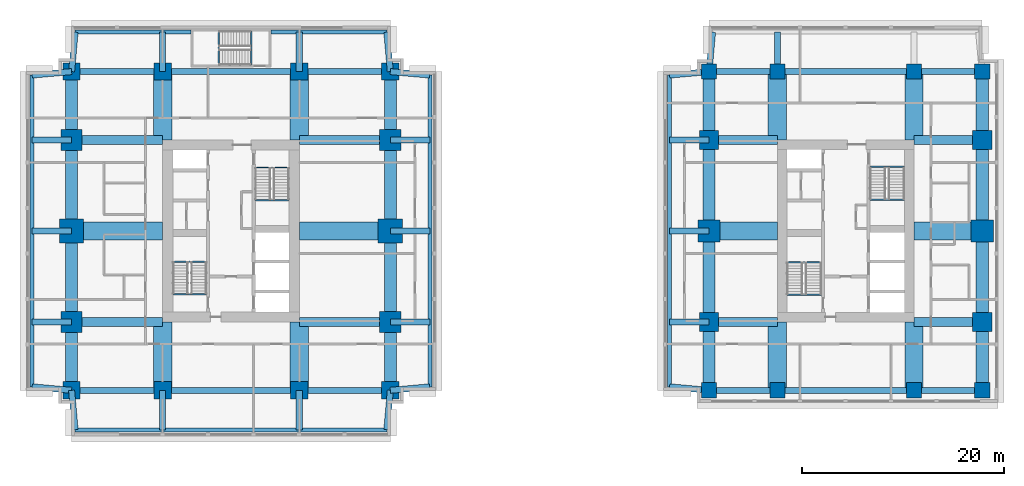
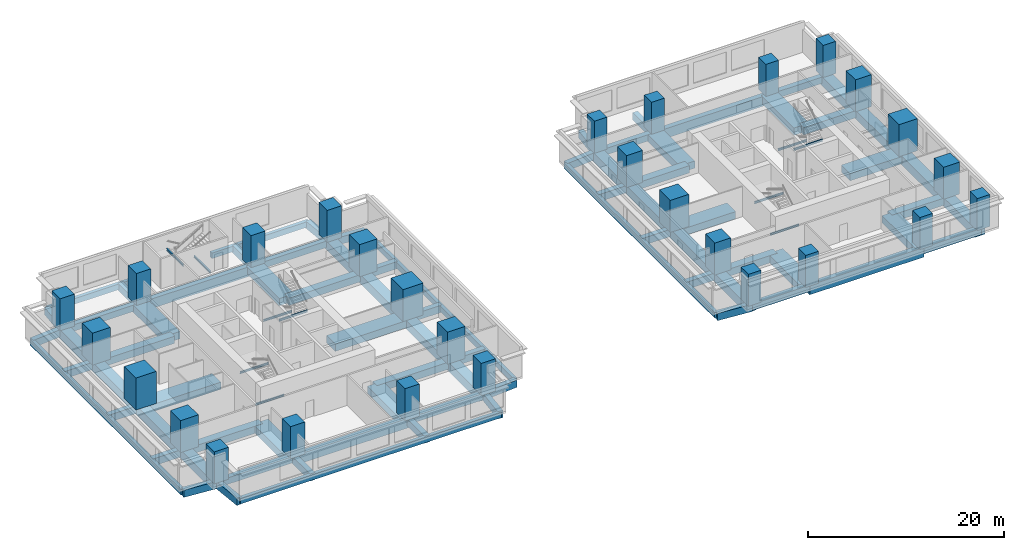
# One storey, part 1 of 10: 89 beams, 28 columns.
"""IFC4 building model written with IfcOpenShell, lengths in metres."""

from ifc_helpers import new_model, si_unit, direction, frame, origin, origin_2d, place, context, subcontext, project, spatial, rectangle, i_section, extrude, material, material_profile, profile_set, type_object, element, save


model = new_model("IFC4")

# Units and contexts
model_context = context("Model", 3, precision=1e-05, world=origin(), true_north=direction((0.0, 1.0)))
body_context = subcontext(model_context, "Body", "Model", "MODEL_VIEW")
ifc_project = project(units=[si_unit("LENGTHUNIT", "METRE"), si_unit("AREAUNIT", "SQUARE_METRE"), si_unit("VOLUMEUNIT", "CUBIC_METRE"), si_unit("PLANEANGLEUNIT", "RADIAN"), si_unit("MASSUNIT", "GRAM", prefix="KILO")], contexts=[model_context])

# Site, building, storey
site_placement = place(None, origin())
site = spatial("IfcSite", under=ifc_project, at=site_placement, CompositionType="ELEMENT")
building_placement = place(site_placement, origin())
building = spatial("IfcBuilding", under=site, at=building_placement, Name="Namib Vertical Campus", CompositionType="ELEMENT")
storey_placement = place(building_placement, frame((0.0, 0.0, 145.0)))
storey = spatial("IfcBuildingStorey", under=building, at=storey_placement, Name="L34", CompositionType="ELEMENT", Elevation=145.0)

# Columns
ifc_material_1 = material(Name="Concrete C60/75", Category="concrete")
ifc_material_profile_1 = material_profile(ifc_material_1, rectangle(XDim=1.5, YDim=1.5, at=origin_2d()))
ifc_profile_set_1 = profile_set([ifc_material_profile_1], Name="Concrete C60/75")
column_type_1 = type_object("IfcColumnType", Name="Column RC 1500x1500", PredefinedType="COLUMN", material=ifc_profile_set_1)
for number, where, z_axis, x_axis, name in (
    (1, (67.5, 4.5, 0.0), (0.0, 0.0, 1.0), (1.0, 0.0, 0.0), "Column C150 L34"),
    (2, (74.25, 4.5, 0.0), (0.0, 0.0, 1.0), (1.0, 0.0, 0.0), "Column C150 L34"),
    (3, (87.75, 4.5, 0.0), (0.0, 0.0, 1.0), (1.0, 0.0, 0.0), "Column C150 L34"),
    (4, (94.5, 4.5, 0.0), (0.0, 0.0, 1.0), (1.0, 0.0, 0.0), "Column C150 L34"),
    (5, (67.5, 36.0, 0.0), (0.0, 0.0, 1.0), (1.0, 0.0, 0.0), "Column C150 L34"),
    (6, (74.25, 36.0, 0.0), (0.0, 0.0, 1.0), (1.0, 0.0, 0.0), "Column C150 L34"),
    (7, (87.75, 36.0, 0.0), (0.0, 0.0, 1.0), (1.0, 0.0, 0.0), "Column C150 L34"),
    (8, (94.5, 36.0, 0.0), (0.0, 0.0, 1.0), (1.0, 0.0, 0.0), "Column C150 L34"),
):
    element("IfcColumn", number, at=place(storey_placement, frame(where, z_axis=z_axis, x_axis=x_axis)), inside=storey, type_object=column_type_1, Name=name, PredefinedType="COLUMN", context=body_context, shape_type="SweptSolid", body=[
        extrude(rectangle(XDim=1.5, YDim=1.5, at=origin_2d()), origin(), (0.0, 0.0, 1.0), 4.0),
    ])
ifc_material_2 = material(Name="Concrete C60/75", Category="concrete")
ifc_material_profile_2 = material_profile(ifc_material_2, rectangle(XDim=1.699951171875, YDim=1.699951171875, at=origin_2d()))
ifc_profile_set_2 = profile_set([ifc_material_profile_2], Name="Concrete C60/75")
column_type_2 = type_object("IfcColumnType", Name="Column RC 1700x1700", PredefinedType="COLUMN", material=ifc_profile_set_2)
for number, where, z_axis, x_axis, name in (
    (9, (4.5, 4.5, 0.0), (0.0, 0.0, 1.0), (1.0, 0.0, 0.0), "Column C170 L34"),
    (10, (13.5, 4.5, 0.0), (0.0, 0.0, 1.0), (1.0, 0.0, 0.0), "Column C170 L34"),
    (11, (27.0, 4.5, 0.0), (0.0, 0.0, 1.0), (1.0, 0.0, 0.0), "Column C170 L34"),
    (12, (36.0, 4.5, 0.0), (0.0, 0.0, 1.0), (1.0, 0.0, 0.0), "Column C170 L34"),
    (13, (4.5, 36.0, 0.0), (0.0, 0.0, 1.0), (1.0, 0.0, 0.0), "Column C170 L34"),
    (14, (13.5, 36.0, 0.0), (0.0, 0.0, 1.0), (1.0, 0.0, 0.0), "Column C170 L34"),
    (15, (27.0, 36.0, 0.0), (0.0, 0.0, 1.0), (1.0, 0.0, 0.0), "Column C170 L34"),
    (16, (36.0, 36.0, 0.0), (0.0, 0.0, 1.0), (1.0, 0.0, 0.0), "Column C170 L34"),
):
    element("IfcColumn", number, at=place(storey_placement, frame(where, z_axis=z_axis, x_axis=x_axis)), inside=storey, type_object=column_type_2, Name=name, PredefinedType="COLUMN", context=body_context, shape_type="SweptSolid", body=[
        extrude(rectangle(XDim=1.699951171875, YDim=1.699951171875, at=origin_2d()), origin(), (0.0, 0.0, 1.0), 4.0),
    ])
ifc_material_3 = material(Name="Concrete C60/75", Category="concrete")
ifc_material_profile_3 = material_profile(ifc_material_3, rectangle(XDim=1.89990234375, YDim=1.89990234375, at=origin_2d()))
ifc_profile_set_3 = profile_set([ifc_material_profile_3], Name="Concrete C60/75")
column_type_3 = type_object("IfcColumnType", Name="Column RC 1900x1900", PredefinedType="COLUMN", material=ifc_profile_set_3)
for number, where, z_axis, x_axis, name in (
    (17, (67.5, 11.25, 0.0), (0.0, 0.0, 1.0), (1.0, 0.0, 0.0), "Column C190 L34"),
    (18, (94.5, 11.25, 0.0), (0.0, 0.0, 1.0), (1.0, 0.0, 0.0), "Column C190 L34"),
    (19, (67.5, 29.25, 0.0), (0.0, 0.0, 1.0), (1.0, 0.0, 0.0), "Column C190 L34"),
    (20, (94.5, 29.25, 0.0), (0.0, 0.0, 1.0), (1.0, 0.0, 0.0), "Column C190 L34"),
):
    element("IfcColumn", number, at=place(storey_placement, frame(where, z_axis=z_axis, x_axis=x_axis)), inside=storey, type_object=column_type_3, Name=name, PredefinedType="COLUMN", context=body_context, shape_type="SweptSolid", body=[
        extrude(rectangle(XDim=1.89990234375, YDim=1.89990234375, at=origin_2d()), origin(), (0.0, 0.0, 1.0), 4.0),
    ])
ifc_material_4 = material(Name="Concrete C60/75", Category="concrete")
ifc_material_profile_4 = material_profile(ifc_material_4, rectangle(XDim=2.10009765625, YDim=2.10009765625, at=origin_2d()))
ifc_profile_set_4 = profile_set([ifc_material_profile_4], Name="Concrete C60/75")
column_type_4 = type_object("IfcColumnType", Name="Column RC 2100x2100", PredefinedType="COLUMN", material=ifc_profile_set_4)
for number, where, z_axis, x_axis, name in (
    (21, (4.5, 11.25, 0.0), (0.0, 0.0, 1.0), (1.0, 0.0, 0.0), "Column C210 L34"),
    (22, (36.0, 11.25, 0.0), (0.0, 0.0, 1.0), (1.0, 0.0, 0.0), "Column C210 L34"),
    (23, (4.5, 29.25, 0.0), (0.0, 0.0, 1.0), (1.0, 0.0, 0.0), "Column C210 L34"),
    (24, (36.0, 29.25, 0.0), (0.0, 0.0, 1.0), (1.0, 0.0, 0.0), "Column C210 L34"),
):
    element("IfcColumn", number, at=place(storey_placement, frame(where, z_axis=z_axis, x_axis=x_axis)), inside=storey, type_object=column_type_4, Name=name, PredefinedType="COLUMN", context=body_context, shape_type="SweptSolid", body=[
        extrude(rectangle(XDim=2.10009765625, YDim=2.10009765625, at=origin_2d()), origin(), (0.0, 0.0, 1.0), 4.0),
    ])
ifc_material_5 = material(Name="Concrete C60/75", Category="concrete")
ifc_material_profile_5 = material_profile(ifc_material_5, rectangle(XDim=2.199951171875, YDim=2.199951171875, at=origin_2d()))
ifc_profile_set_5 = profile_set([ifc_material_profile_5], Name="Concrete C60/75")
column_type_5 = type_object("IfcColumnType", Name="Column RC 2200x2200", PredefinedType="COLUMN", material=ifc_profile_set_5)
for number, where, z_axis, x_axis, name in (
    (25, (67.5, 20.25, 0.0), (0.0, 0.0, 1.0), (1.0, 0.0, 0.0), "Column C220 L34"),
    (26, (94.5, 20.25, 0.0), (0.0, 0.0, 1.0), (1.0, 0.0, 0.0), "Column C220 L34"),
):
    element("IfcColumn", number, at=place(storey_placement, frame(where, z_axis=z_axis, x_axis=x_axis)), inside=storey, type_object=column_type_5, Name=name, PredefinedType="COLUMN", context=body_context, shape_type="SweptSolid", body=[
        extrude(rectangle(XDim=2.199951171875, YDim=2.199951171875, at=origin_2d()), origin(), (0.0, 0.0, 1.0), 4.0),
    ])
ifc_material_6 = material(Name="Concrete C60/75", Category="concrete")
ifc_material_profile_6 = material_profile(ifc_material_6, rectangle(XDim=2.39990234375, YDim=2.39990234375, at=origin_2d()))
ifc_profile_set_6 = profile_set([ifc_material_profile_6], Name="Concrete C60/75")
column_type_6 = type_object("IfcColumnType", Name="Column RC 2400x2400", PredefinedType="COLUMN", material=ifc_profile_set_6)
for number, where, z_axis, x_axis, name in (
    (27, (4.5, 20.25, 0.0), (0.0, 0.0, 1.0), (1.0, 0.0, 0.0), "Column C240 L34"),
    (28, (36.0, 20.25, 0.0), (0.0, 0.0, 1.0), (1.0, 0.0, 0.0), "Column C240 L34"),
):
    element("IfcColumn", number, at=place(storey_placement, frame(where, z_axis=z_axis, x_axis=x_axis)), inside=storey, type_object=column_type_6, Name=name, PredefinedType="COLUMN", context=body_context, shape_type="SweptSolid", body=[
        extrude(rectangle(XDim=2.39990234375, YDim=2.39990234375, at=origin_2d()), origin(), (0.0, 0.0, 1.0), 4.0),
    ])

# Beams
ifc_material_7 = material(Name="Concrete C40/50", Category="concrete")
ifc_material_profile_7 = material_profile(ifc_material_7, rectangle(XDim=0.60009765625, YDim=0.89990234375, at=origin_2d()))
ifc_profile_set_7 = profile_set([ifc_material_profile_7], Name="Concrete C40/50")
beam_type_1 = type_object("IfcBeamType", Name="Cantilever girder RC 600x900", PredefinedType="BEAM", material=ifc_profile_set_7)
beam_1_placement = place(storey_placement, frame((4.5, 4.5, -0.699951171875), z_axis=(0.089411326146, -0.995994786511, 0.0), x_axis=(0.995994786511, 0.089411326146, 0.0)))
element("IfcBeam", 29, at=beam_1_placement, inside=storey, type_object=beam_type_1, Name="Beam B3 L34", PredefinedType="BEAM", context=body_context, shape_type="SweptSolid", body=[
    extrude(rectangle(XDim=0.60009765625, YDim=0.89990234375, at=origin_2d()), origin(), (0.0, 0.0, 1.0), 3.91552734375),
])
for number, where, z_axis, x_axis, name in (
    (30, (13.5, 4.5, -0.699951171875), (0.0, -1.0, 0.0), (1.0, 0.0, 0.0), "Beam B3 L34"),
    (31, (27.0, 4.5, -0.699951171875), (0.0, -1.0, 0.0), (1.0, 0.0, 0.0), "Beam B3 L34"),
):
    element("IfcBeam", number, at=place(storey_placement, frame(where, z_axis=z_axis, x_axis=x_axis)), inside=storey, type_object=beam_type_1, Name=name, PredefinedType="BEAM", context=body_context, shape_type="SweptSolid", body=[
        extrude(rectangle(XDim=0.60009765625, YDim=0.89990234375, at=origin_2d()), origin(), (0.0, 0.0, 1.0), 3.89990234375),
    ])
for number, where, z_axis, x_axis, name in (
    (32, (36.0, 4.5, -0.699951171875), (-0.089411326146, -0.995994786511, 0.0), (0.995994786511, -0.089411326146, 0.0), "Beam B3 L34"),
    (33, (4.5, 36.0, -0.699951171875), (0.089411326146, 0.995994786511, 0.0), (-0.995994786511, 0.089411326146, 0.0), "Beam B3 L34"),
):
    element("IfcBeam", number, at=place(storey_placement, frame(where, z_axis=z_axis, x_axis=x_axis)), inside=storey, type_object=beam_type_1, Name=name, PredefinedType="BEAM", context=body_context, shape_type="SweptSolid", body=[
        extrude(rectangle(XDim=0.60009765625, YDim=0.89990234375, at=origin_2d()), origin(), (0.0, 0.0, 1.0), 3.91552734375),
    ])
for number, where, z_axis, x_axis, name in (
    (34, (13.5, 36.0, -0.699951171875), (0.0, 1.0, 0.0), (-1.0, 0.0, 0.0), "Beam B3 L34"),
    (35, (27.0, 36.0, -0.699951171875), (0.0, 1.0, 0.0), (-1.0, 0.0, 0.0), "Beam B3 L34"),
):
    element("IfcBeam", number, at=place(storey_placement, frame(where, z_axis=z_axis, x_axis=x_axis)), inside=storey, type_object=beam_type_1, Name=name, PredefinedType="BEAM", context=body_context, shape_type="SweptSolid", body=[
        extrude(rectangle(XDim=0.60009765625, YDim=0.89990234375, at=origin_2d()), origin(), (0.0, 0.0, 1.0), 3.89990234375),
    ])
for number, where, z_axis, x_axis, name in (
    (36, (36.0, 36.0, -0.699951171875), (-0.089411326146, 0.995994786511, 0.0), (-0.995994786511, -0.089411326146, 0.0), "Beam B3 L34"),
    (37, (4.5, 4.5, -0.699951171875), (-0.995994786511, 0.089411326146, 0.0), (-0.089411326146, -0.995994786511, 0.0), "Beam B3 L34"),
):
    element("IfcBeam", number, at=place(storey_placement, frame(where, z_axis=z_axis, x_axis=x_axis)), inside=storey, type_object=beam_type_1, Name=name, PredefinedType="BEAM", context=body_context, shape_type="SweptSolid", body=[
        extrude(rectangle(XDim=0.60009765625, YDim=0.89990234375, at=origin_2d()), origin(), (0.0, 0.0, 1.0), 3.91552734375),
    ])
for number, where, z_axis, x_axis, name in (
    (38, (4.5, 11.25, -0.699951171875), (-1.0, 0.0, 0.0), (0.0, -1.0, 0.0), "Beam B3 L34"),
    (39, (4.5, 20.25, -0.699951171875), (-1.0, 0.0, 0.0), (0.0, -1.0, 0.0), "Beam B3 L34"),
    (40, (4.5, 29.25, -0.699951171875), (-1.0, 0.0, 0.0), (0.0, -1.0, 0.0), "Beam B3 L34"),
):
    element("IfcBeam", number, at=place(storey_placement, frame(where, z_axis=z_axis, x_axis=x_axis)), inside=storey, type_object=beam_type_1, Name=name, PredefinedType="BEAM", context=body_context, shape_type="SweptSolid", body=[
        extrude(rectangle(XDim=0.60009765625, YDim=0.89990234375, at=origin_2d()), origin(), (0.0, 0.0, 1.0), 3.89990234375),
    ])
for number, where, z_axis, x_axis, name in (
    (41, (4.5, 36.0, -0.699951171875), (-0.995994786511, -0.089411326146, 0.0), (0.089411326146, -0.995994786511, 0.0), "Beam B3 L34"),
    (42, (36.0, 4.5, -0.699951171875), (0.995994786511, 0.089411326146, 0.0), (-0.089411326146, 0.995994786511, 0.0), "Beam B3 L34"),
):
    element("IfcBeam", number, at=place(storey_placement, frame(where, z_axis=z_axis, x_axis=x_axis)), inside=storey, type_object=beam_type_1, Name=name, PredefinedType="BEAM", context=body_context, shape_type="SweptSolid", body=[
        extrude(rectangle(XDim=0.60009765625, YDim=0.89990234375, at=origin_2d()), origin(), (0.0, 0.0, 1.0), 3.91552734375),
    ])
for number, where, z_axis, x_axis, name in (
    (43, (36.0, 11.25, -0.699951171875), (1.0, 0.0, 0.0), (0.0, 1.0, 0.0), "Beam B3 L34"),
    (44, (36.0, 20.25, -0.699951171875), (1.0, 0.0, 0.0), (0.0, 1.0, 0.0), "Beam B3 L34"),
    (45, (36.0, 29.25, -0.699951171875), (1.0, 0.0, 0.0), (0.0, 1.0, 0.0), "Beam B3 L34"),
):
    element("IfcBeam", number, at=place(storey_placement, frame(where, z_axis=z_axis, x_axis=x_axis)), inside=storey, type_object=beam_type_1, Name=name, PredefinedType="BEAM", context=body_context, shape_type="SweptSolid", body=[
        extrude(rectangle(XDim=0.60009765625, YDim=0.89990234375, at=origin_2d()), origin(), (0.0, 0.0, 1.0), 3.89990234375),
    ])
for number, where, z_axis, x_axis, name in (
    (46, (36.0, 36.0, -0.699951171875), (0.995994786511, -0.089411326146, 0.0), (0.089411326146, 0.995994786511, 0.0), "Beam B3 L34"),
    (47, (67.5, 36.0, -0.699951171875), (0.089411326146, 0.995994786511, 0.0), (-0.995994786511, 0.089411326146, 0.0), "Beam B3 L34"),
):
    element("IfcBeam", number, at=place(storey_placement, frame(where, z_axis=z_axis, x_axis=x_axis)), inside=storey, type_object=beam_type_1, Name=name, PredefinedType="BEAM", context=body_context, shape_type="SweptSolid", body=[
        extrude(rectangle(XDim=0.60009765625, YDim=0.89990234375, at=origin_2d()), origin(), (0.0, 0.0, 1.0), 3.91552734375),
    ])
beam_2_placement = place(storey_placement, frame((74.25, 36.0, -0.699951171875), z_axis=(0.0, 1.0, 0.0), x_axis=(-1.0, 0.0, 0.0)))
element("IfcBeam", 48, at=beam_2_placement, inside=storey, type_object=beam_type_1, Name="Beam B3 L34", PredefinedType="BEAM", context=body_context, shape_type="SweptSolid", body=[
    extrude(rectangle(XDim=0.60009765625, YDim=0.89990234375, at=origin_2d()), origin(), (0.0, 0.0, 1.0), 3.89990234375),
])
beam_3_placement = place(storey_placement, frame((67.5, 4.5, -0.699951171875), z_axis=(-0.995994786511, 0.089411326146, 0.0), x_axis=(-0.089411326146, -0.995994786511, 0.0)))
element("IfcBeam", 49, at=beam_3_placement, inside=storey, type_object=beam_type_1, Name="Beam B3 L34", PredefinedType="BEAM", context=body_context, shape_type="SweptSolid", body=[
    extrude(rectangle(XDim=0.60009765625, YDim=0.89990234375, at=origin_2d()), origin(), (0.0, 0.0, 1.0), 3.91552734375),
])
for number, where, z_axis, x_axis, name in (
    (50, (67.5, 11.25, -0.699951171875), (-1.0, 0.0, 0.0), (0.0, -1.0, 0.0), "Beam B3 L34"),
    (51, (67.5, 20.25, -0.699951171875), (-1.0, 0.0, 0.0), (0.0, -1.0, 0.0), "Beam B3 L34"),
    (52, (67.5, 29.25, -0.699951171875), (-1.0, 0.0, 0.0), (0.0, -1.0, 0.0), "Beam B3 L34"),
):
    element("IfcBeam", number, at=place(storey_placement, frame(where, z_axis=z_axis, x_axis=x_axis)), inside=storey, type_object=beam_type_1, Name=name, PredefinedType="BEAM", context=body_context, shape_type="SweptSolid", body=[
        extrude(rectangle(XDim=0.60009765625, YDim=0.89990234375, at=origin_2d()), origin(), (0.0, 0.0, 1.0), 3.89990234375),
    ])
beam_4_placement = place(storey_placement, frame((67.5, 36.0, -0.699951171875), z_axis=(-0.995994786511, -0.089411326146, 0.0), x_axis=(0.089411326146, -0.995994786511, 0.0)))
element("IfcBeam", 53, at=beam_4_placement, inside=storey, type_object=beam_type_1, Name="Beam B3 L34", PredefinedType="BEAM", context=body_context, shape_type="SweptSolid", body=[
    extrude(rectangle(XDim=0.60009765625, YDim=0.89990234375, at=origin_2d()), origin(), (0.0, 0.0, 1.0), 3.91552734375),
])
ifc_material_8 = material(Name="Concrete C40/50", Category="concrete")
ifc_material_profile_8 = material_profile(ifc_material_8, rectangle(XDim=0.39990234375, YDim=0.699951171875, at=origin_2d()))
ifc_profile_set_8 = profile_set([ifc_material_profile_8], Name="Concrete C40/50")
beam_type_2 = type_object("IfcBeamType", Name="Edge beam RC 400x700", PredefinedType="SPANDREL", material=ifc_profile_set_8)
beam_5_placement = place(storey_placement, frame((4.85009765625, 0.60009765625, -0.60009765625), z_axis=(1.0, 0.0, 0.0), x_axis=(0.0, 1.0, 0.0)))
element("IfcBeam", 54, at=beam_5_placement, inside=storey, type_object=beam_type_2, Name="Beam B4 L34", PredefinedType="SPANDREL", context=body_context, shape_type="SweptSolid", body=[
    extrude(rectangle(XDim=0.39990234375, YDim=0.699951171875, at=origin_2d()), origin(), (0.0, 0.0, 1.0), 30.7998046875),
])
for number, where, z_axis, x_axis, name in (
    (55, (4.85009765625, 39.89990234375, -0.60009765625), (1.0, 0.0, 0.0), (0.0, 1.0, 0.0), "Beam B4 L34"),
    (56, (24.199951171875, 39.89990234375, -0.60009765625), (1.0, 0.0, 0.0), (0.0, 1.0, 0.0), "Beam B4 L34"),
):
    element("IfcBeam", number, at=place(storey_placement, frame(where, z_axis=z_axis, x_axis=x_axis)), inside=storey, type_object=beam_type_2, Name=name, PredefinedType="SPANDREL", context=body_context, shape_type="SweptSolid", body=[
        extrude(rectangle(XDim=0.39990234375, YDim=0.699951171875, at=origin_2d()), origin(), (0.0, 0.0, 1.0), 11.449951171875),
    ])
for number, where, z_axis, x_axis, name in (
    (57, (0.60009765625, 4.85009765625, -0.60009765625), (0.0, 1.0, 0.0), (-1.0, 0.0, 0.0), "Beam B4 L34"),
    (58, (39.89990234375, 4.85009765625, -0.60009765625), (0.0, 1.0, 0.0), (-1.0, 0.0, 0.0), "Beam B4 L34"),
    (59, (63.60009765625, 4.85009765625, -0.60009765625), (0.0, 1.0, 0.0), (-1.0, 0.0, 0.0), "Beam B4 L34"),
):
    element("IfcBeam", number, at=place(storey_placement, frame(where, z_axis=z_axis, x_axis=x_axis)), inside=storey, type_object=beam_type_2, Name=name, PredefinedType="SPANDREL", context=body_context, shape_type="SweptSolid", body=[
        extrude(rectangle(XDim=0.39990234375, YDim=0.699951171875, at=origin_2d()), origin(), (0.0, 0.0, 1.0), 30.7998046875),
    ])
ifc_material_9 = material(Name="Concrete C40/50", Category="concrete")
ifc_material_profile_9 = material_profile(ifc_material_9, rectangle(XDim=0.89990234375, YDim=0.89990234375, at=origin_2d()))
ifc_profile_set_9 = profile_set([ifc_material_profile_9], Name="Concrete C40/50")
beam_type_3 = type_object("IfcBeamType", Name="Face girder RC 900x900", PredefinedType="BEAM", material=ifc_profile_set_9)
for number, where, z_axis, x_axis, name in (
    (60, (4.5, 11.25, -0.699951171875), (1.0, 0.0, 0.0), (0.0, 1.0, 0.0), "Beam B10 L34"),
    (61, (36.0, 11.25, -0.699951171875), (-1.0, 0.0, 0.0), (0.0, -1.0, 0.0), "Beam B10 L34"),
    (62, (4.5, 29.25, -0.699951171875), (1.0, 0.0, 0.0), (0.0, 1.0, 0.0), "Beam B10 L34"),
    (63, (36.0, 29.25, -0.699951171875), (-1.0, 0.0, 0.0), (0.0, -1.0, 0.0), "Beam B10 L34"),
):
    element("IfcBeam", number, at=place(storey_placement, frame(where, z_axis=z_axis, x_axis=x_axis)), inside=storey, type_object=beam_type_3, Name=name, PredefinedType="BEAM", context=body_context, shape_type="SweptSolid", body=[
        extrude(rectangle(XDim=0.89990234375, YDim=0.89990234375, at=origin_2d()), origin(), (0.0, 0.0, 1.0), 9.0),
    ])
for number, where, z_axis, x_axis, name in (
    (64, (67.5, 11.25, -0.699951171875), (1.0, 0.0, 0.0), (0.0, 1.0, 0.0), "Beam B10 L34"),
    (65, (94.5, 11.25, -0.699951171875), (-1.0, 0.0, 0.0), (0.0, -1.0, 0.0), "Beam B10 L34"),
    (66, (67.5, 29.25, -0.699951171875), (1.0, 0.0, 0.0), (0.0, 1.0, 0.0), "Beam B10 L34"),
    (67, (94.5, 29.25, -0.699951171875), (-1.0, 0.0, 0.0), (0.0, -1.0, 0.0), "Beam B10 L34"),
):
    element("IfcBeam", number, at=place(storey_placement, frame(where, z_axis=z_axis, x_axis=x_axis)), inside=storey, type_object=beam_type_3, Name=name, PredefinedType="BEAM", context=body_context, shape_type="SweptSolid", body=[
        extrude(rectangle(XDim=0.89990234375, YDim=0.89990234375, at=origin_2d()), origin(), (0.0, 0.0, 1.0), 6.75),
    ])
ifc_material_10 = material(Name="Concrete C40/50", Category="concrete")
ifc_material_profile_10 = material_profile(ifc_material_10, rectangle(XDim=1.199951171875, YDim=1.10009765625, at=origin_2d()))
ifc_profile_set_10 = profile_set([ifc_material_profile_10], Name="Concrete C40/50")
beam_type_4 = type_object("IfcBeamType", Name="Face ring beam RC 1200x1100", PredefinedType="BEAM", material=ifc_profile_set_10)
beam_6_placement = place(storey_placement, frame((4.5, 4.5, -0.800048828125), z_axis=(0.0, 1.0, 0.0), x_axis=(-1.0, 0.0, 0.0)))
element("IfcBeam", 68, at=beam_6_placement, inside=storey, type_object=beam_type_4, Name="Beam B11 L34", PredefinedType="BEAM", context=body_context, shape_type="SweptSolid", body=[
    extrude(rectangle(XDim=1.199951171875, YDim=1.10009765625, at=origin_2d()), origin(), (0.0, 0.0, 1.0), 6.75),
])
for number, where, z_axis, x_axis, name in (
    (69, (4.5, 11.25, -0.800048828125), (0.0, 1.0, 0.0), (-1.0, 0.0, 0.0), "Beam B11 L34"),
    (70, (4.5, 20.25, -0.800048828125), (0.0, 1.0, 0.0), (-1.0, 0.0, 0.0), "Beam B11 L34"),
):
    element("IfcBeam", number, at=place(storey_placement, frame(where, z_axis=z_axis, x_axis=x_axis)), inside=storey, type_object=beam_type_4, Name=name, PredefinedType="BEAM", context=body_context, shape_type="SweptSolid", body=[
        extrude(rectangle(XDim=1.199951171875, YDim=1.10009765625, at=origin_2d()), origin(), (0.0, 0.0, 1.0), 9.0),
    ])
for number, where, z_axis, x_axis, name in (
    (71, (4.5, 29.25, -0.800048828125), (0.0, 1.0, 0.0), (-1.0, 0.0, 0.0), "Beam B11 L34"),
    (72, (36.0, 4.5, -0.800048828125), (0.0, 1.0, 0.0), (-1.0, 0.0, 0.0), "Beam B11 L34"),
):
    element("IfcBeam", number, at=place(storey_placement, frame(where, z_axis=z_axis, x_axis=x_axis)), inside=storey, type_object=beam_type_4, Name=name, PredefinedType="BEAM", context=body_context, shape_type="SweptSolid", body=[
        extrude(rectangle(XDim=1.199951171875, YDim=1.10009765625, at=origin_2d()), origin(), (0.0, 0.0, 1.0), 6.75),
    ])
for number, where, z_axis, x_axis, name in (
    (73, (36.0, 11.25, -0.800048828125), (0.0, 1.0, 0.0), (-1.0, 0.0, 0.0), "Beam B11 L34"),
    (74, (36.0, 20.25, -0.800048828125), (0.0, 1.0, 0.0), (-1.0, 0.0, 0.0), "Beam B11 L34"),
):
    element("IfcBeam", number, at=place(storey_placement, frame(where, z_axis=z_axis, x_axis=x_axis)), inside=storey, type_object=beam_type_4, Name=name, PredefinedType="BEAM", context=body_context, shape_type="SweptSolid", body=[
        extrude(rectangle(XDim=1.199951171875, YDim=1.10009765625, at=origin_2d()), origin(), (0.0, 0.0, 1.0), 9.0),
    ])
for number, where, z_axis, x_axis, name in (
    (75, (36.0, 29.25, -0.800048828125), (0.0, 1.0, 0.0), (-1.0, 0.0, 0.0), "Beam B11 L34"),
    (76, (67.5, 4.5, -0.800048828125), (0.0, 1.0, 0.0), (-1.0, 0.0, 0.0), "Beam B11 L34"),
):
    element("IfcBeam", number, at=place(storey_placement, frame(where, z_axis=z_axis, x_axis=x_axis)), inside=storey, type_object=beam_type_4, Name=name, PredefinedType="BEAM", context=body_context, shape_type="SweptSolid", body=[
        extrude(rectangle(XDim=1.199951171875, YDim=1.10009765625, at=origin_2d()), origin(), (0.0, 0.0, 1.0), 6.75),
    ])
for number, where, z_axis, x_axis, name in (
    (77, (67.5, 11.25, -0.800048828125), (0.0, 1.0, 0.0), (-1.0, 0.0, 0.0), "Beam B11 L34"),
    (78, (67.5, 20.25, -0.800048828125), (0.0, 1.0, 0.0), (-1.0, 0.0, 0.0), "Beam B11 L34"),
):
    element("IfcBeam", number, at=place(storey_placement, frame(where, z_axis=z_axis, x_axis=x_axis)), inside=storey, type_object=beam_type_4, Name=name, PredefinedType="BEAM", context=body_context, shape_type="SweptSolid", body=[
        extrude(rectangle(XDim=1.199951171875, YDim=1.10009765625, at=origin_2d()), origin(), (0.0, 0.0, 1.0), 9.0),
    ])
for number, where, z_axis, x_axis, name in (
    (79, (67.5, 29.25, -0.800048828125), (0.0, 1.0, 0.0), (-1.0, 0.0, 0.0), "Beam B11 L34"),
    (80, (94.5, 4.5, -0.800048828125), (0.0, 1.0, 0.0), (-1.0, 0.0, 0.0), "Beam B11 L34"),
):
    element("IfcBeam", number, at=place(storey_placement, frame(where, z_axis=z_axis, x_axis=x_axis)), inside=storey, type_object=beam_type_4, Name=name, PredefinedType="BEAM", context=body_context, shape_type="SweptSolid", body=[
        extrude(rectangle(XDim=1.199951171875, YDim=1.10009765625, at=origin_2d()), origin(), (0.0, 0.0, 1.0), 6.75),
    ])
for number, where, z_axis, x_axis, name in (
    (81, (94.5, 11.25, -0.800048828125), (0.0, 1.0, 0.0), (-1.0, 0.0, 0.0), "Beam B11 L34"),
    (82, (94.5, 20.25, -0.800048828125), (0.0, 1.0, 0.0), (-1.0, 0.0, 0.0), "Beam B11 L34"),
):
    element("IfcBeam", number, at=place(storey_placement, frame(where, z_axis=z_axis, x_axis=x_axis)), inside=storey, type_object=beam_type_4, Name=name, PredefinedType="BEAM", context=body_context, shape_type="SweptSolid", body=[
        extrude(rectangle(XDim=1.199951171875, YDim=1.10009765625, at=origin_2d()), origin(), (0.0, 0.0, 1.0), 9.0),
    ])
beam_7_placement = place(storey_placement, frame((94.5, 29.25, -0.800048828125), z_axis=(0.0, 1.0, 0.0), x_axis=(-1.0, 0.0, 0.0)))
element("IfcBeam", 83, at=beam_7_placement, inside=storey, type_object=beam_type_4, Name="Beam B11 L34", PredefinedType="BEAM", context=body_context, shape_type="SweptSolid", body=[
    extrude(rectangle(XDim=1.199951171875, YDim=1.10009765625, at=origin_2d()), origin(), (0.0, 0.0, 1.0), 6.75),
])
ifc_material_11 = material(Name="Steel S355JR", Category="steel")
ifc_material_profile_11 = material_profile(ifc_material_11, i_section(OverallWidth=0.14599609375, OverallDepth=0.25146484375, WebThickness=0.006103515625, FlangeThickness=0.008544921875, FilletRadius=0.007568359375, at=origin_2d()))
ifc_profile_set_11 = profile_set([ifc_material_profile_11], Name="Steel S355JR")
beam_type_5 = type_object("IfcBeamType", Name="Landing trimmer UB 254x146x31", PredefinedType="BEAM", material=ifc_profile_set_11)
for number, where, z_axis, x_axis, name in (
    (84, (14.5, 13.97705078125, -0.125732421875), (1.0, 0.0, 0.0), (0.0, 1.0, 0.0), "Landing trimmer LT1 A-S1 L34 1"),
    (85, (14.5, 17.203125, 1.874267578125), (1.0, 0.0, 0.0), (0.0, 1.0, 0.0), "Landing trimmer LT1 A-S1 L34 2"),
    (86, (22.64990234375, 26.52294921875, -0.125732421875), (1.0, 0.0, 0.0), (0.0, 1.0, 0.0), "Landing trimmer LT1 A-S2 L34 1"),
    (87, (22.64990234375, 23.296875, 1.874267578125), (1.0, 0.0, 0.0), (0.0, 1.0, 0.0), "Landing trimmer LT1 A-S2 L34 2"),
):
    element("IfcBeam", number, at=place(storey_placement, frame(where, z_axis=z_axis, x_axis=x_axis)), inside=storey, type_object=beam_type_5, Name=name, PredefinedType="BEAM", context=body_context, shape_type="SweptSolid", body=[
        extrude(i_section(OverallWidth=0.14599609375, OverallDepth=0.25146484375, WebThickness=0.006103515625, FlangeThickness=0.008544921875, FilletRadius=0.007568359375, at=origin_2d()), origin(), (0.0, 0.0, 1.0), 3.35009765625),
    ])
for number, where, z_axis, x_axis, name in (
    (88, (75.199951171875, 13.927001953125, -0.125732421875), (1.0, 0.0, 0.0), (0.0, 1.0, 0.0), "Landing trimmer LT1 B-S1 L34 1"),
    (89, (75.199951171875, 17.153076171875, 1.874267578125), (1.0, 0.0, 0.0), (0.0, 1.0, 0.0), "Landing trimmer LT1 B-S1 L34 2"),
    (90, (83.39990234375, 26.572998046875, -0.125732421875), (1.0, 0.0, 0.0), (0.0, 1.0, 0.0), "Landing trimmer LT1 B-S2 L34 1"),
    (91, (83.39990234375, 23.346923828125, 1.874267578125), (1.0, 0.0, 0.0), (0.0, 1.0, 0.0), "Landing trimmer LT1 B-S2 L34 2"),
):
    element("IfcBeam", number, at=place(storey_placement, frame(where, z_axis=z_axis, x_axis=x_axis)), inside=storey, type_object=beam_type_5, Name=name, PredefinedType="BEAM", context=body_context, shape_type="SweptSolid", body=[
        extrude(i_section(OverallWidth=0.14599609375, OverallDepth=0.25146484375, WebThickness=0.006103515625, FlangeThickness=0.008544921875, FilletRadius=0.007568359375, at=origin_2d()), origin(), (0.0, 0.0, 1.0), 3.400146484375),
    ])
for number, where, z_axis, x_axis, name in (
    (92, (22.27294921875, 36.64990234375, -0.125732421875), (0.0, 1.0, 0.0), (-1.0, 0.0, 0.0), "Landing trimmer LT1 A-S3 L34 1"),
    (93, (19.046875, 36.64990234375, 1.874267578125), (0.0, 1.0, 0.0), (-1.0, 0.0, 0.0), "Landing trimmer LT1 A-S3 L34 2"),
):
    element("IfcBeam", number, at=place(storey_placement, frame(where, z_axis=z_axis, x_axis=x_axis)), inside=storey, type_object=beam_type_5, Name=name, PredefinedType="BEAM", context=body_context, shape_type="SweptSolid", body=[
        extrude(i_section(OverallWidth=0.14599609375, OverallDepth=0.25146484375, WebThickness=0.006103515625, FlangeThickness=0.008544921875, FilletRadius=0.007568359375, at=origin_2d()), origin(), (0.0, 0.0, 1.0), 3.35009765625),
    ])
ifc_material_12 = material(Name="Concrete C40/50", Category="concrete")
ifc_material_profile_12 = material_profile(ifc_material_12, rectangle(XDim=0.60009765625, YDim=1.199951171875, at=origin_2d()))
ifc_profile_set_12 = profile_set([ifc_material_profile_12], Name="Concrete C40/50")
beam_type_6 = type_object("IfcBeamType", Name="Long-span ring beam RC 600x1200", PredefinedType="BEAM", material=ifc_profile_set_12)
for number, where, z_axis, x_axis, name in (
    (94, (13.5, 4.5, -0.85009765625), (1.0, 0.0, 0.0), (0.0, 1.0, 0.0), "Beam B9 L34"),
    (95, (13.5, 36.0, -0.85009765625), (1.0, 0.0, 0.0), (0.0, 1.0, 0.0), "Beam B9 L34"),
    (96, (74.25, 4.5, -0.85009765625), (1.0, 0.0, 0.0), (0.0, 1.0, 0.0), "Beam B9 L34"),
    (97, (74.25, 36.0, -0.85009765625), (1.0, 0.0, 0.0), (0.0, 1.0, 0.0), "Beam B9 L34"),
):
    element("IfcBeam", number, at=place(storey_placement, frame(where, z_axis=z_axis, x_axis=x_axis)), inside=storey, type_object=beam_type_6, Name=name, PredefinedType="BEAM", context=body_context, shape_type="SweptSolid", body=[
        extrude(rectangle(XDim=0.60009765625, YDim=1.199951171875, at=origin_2d()), origin(), (0.0, 0.0, 1.0), 13.5),
    ])
ifc_material_13 = material(Name="Concrete C40/50", Category="concrete")
ifc_material_profile_13 = material_profile(ifc_material_13, rectangle(XDim=1.800048828125, YDim=0.89990234375, at=origin_2d()))
ifc_profile_set_13 = profile_set([ifc_material_profile_13], Name="Concrete C40/50")
beam_type_7 = type_object("IfcBeamType", Name="Outrigger line girder RC 1800x900", PredefinedType="BEAM", material=ifc_profile_set_13)
for number, where, z_axis, x_axis, name in (
    (98, (13.5, 4.5, -0.699951171875), (0.0, 1.0, 0.0), (-1.0, 0.0, 0.0), "Beam B12 L34"),
    (99, (13.5, 36.0, -0.699951171875), (0.0, -1.0, 0.0), (1.0, 0.0, 0.0), "Beam B12 L34"),
    (100, (27.0, 4.5, -0.699951171875), (0.0, 1.0, 0.0), (-1.0, 0.0, 0.0), "Beam B12 L34"),
    (101, (27.0, 36.0, -0.699951171875), (0.0, -1.0, 0.0), (1.0, 0.0, 0.0), "Beam B12 L34"),
):
    element("IfcBeam", number, at=place(storey_placement, frame(where, z_axis=z_axis, x_axis=x_axis)), inside=storey, type_object=beam_type_7, Name=name, PredefinedType="BEAM", context=body_context, shape_type="SweptSolid", body=[
        extrude(rectangle(XDim=1.800048828125, YDim=0.89990234375, at=origin_2d()), origin(), (0.0, 0.0, 1.0), 6.75),
    ])
for number, where, z_axis, x_axis, name in (
    (102, (4.5, 20.25, -0.699951171875), (1.0, 0.0, 0.0), (0.0, 1.0, 0.0), "Beam B12 L34"),
    (103, (36.0, 20.25, -0.699951171875), (-1.0, 0.0, 0.0), (0.0, -1.0, 0.0), "Beam B12 L34"),
):
    element("IfcBeam", number, at=place(storey_placement, frame(where, z_axis=z_axis, x_axis=x_axis)), inside=storey, type_object=beam_type_7, Name=name, PredefinedType="BEAM", context=body_context, shape_type="SweptSolid", body=[
        extrude(rectangle(XDim=1.800048828125, YDim=0.89990234375, at=origin_2d()), origin(), (0.0, 0.0, 1.0), 9.0),
    ])
for number, where, z_axis, x_axis, name in (
    (104, (74.25, 4.5, -0.699951171875), (0.0, 1.0, 0.0), (-1.0, 0.0, 0.0), "Beam B12 L34"),
    (105, (74.25, 36.0, -0.699951171875), (0.0, -1.0, 0.0), (1.0, 0.0, 0.0), "Beam B12 L34"),
    (106, (87.75, 4.5, -0.699951171875), (0.0, 1.0, 0.0), (-1.0, 0.0, 0.0), "Beam B12 L34"),
    (107, (87.75, 36.0, -0.699951171875), (0.0, -1.0, 0.0), (1.0, 0.0, 0.0), "Beam B12 L34"),
    (108, (67.5, 20.25, -0.699951171875), (1.0, 0.0, 0.0), (0.0, 1.0, 0.0), "Beam B12 L34"),
    (109, (94.5, 20.25, -0.699951171875), (-1.0, 0.0, 0.0), (0.0, -1.0, 0.0), "Beam B12 L34"),
):
    element("IfcBeam", number, at=place(storey_placement, frame(where, z_axis=z_axis, x_axis=x_axis)), inside=storey, type_object=beam_type_7, Name=name, PredefinedType="BEAM", context=body_context, shape_type="SweptSolid", body=[
        extrude(rectangle(XDim=1.800048828125, YDim=0.89990234375, at=origin_2d()), origin(), (0.0, 0.0, 1.0), 6.75),
    ])
ifc_material_14 = material(Name="Concrete C40/50", Category="concrete")
ifc_material_profile_14 = material_profile(ifc_material_14, rectangle(XDim=0.60009765625, YDim=0.800048828125, at=origin_2d()))
ifc_profile_set_14 = profile_set([ifc_material_profile_14], Name="Concrete C40/50")
beam_type_8 = type_object("IfcBeamType", Name="Ring beam RC 600x800", PredefinedType="BEAM", material=ifc_profile_set_14)
for number, where, z_axis, x_axis, name in (
    (110, (4.5, 4.5, -0.64990234375), (1.0, 0.0, 0.0), (0.0, 1.0, 0.0), "Beam B1 L34"),
    (111, (27.0, 4.5, -0.64990234375), (1.0, 0.0, 0.0), (0.0, 1.0, 0.0), "Beam B1 L34"),
    (112, (4.5, 36.0, -0.64990234375), (1.0, 0.0, 0.0), (0.0, 1.0, 0.0), "Beam B1 L34"),
    (113, (27.0, 36.0, -0.64990234375), (1.0, 0.0, 0.0), (0.0, 1.0, 0.0), "Beam B1 L34"),
):
    element("IfcBeam", number, at=place(storey_placement, frame(where, z_axis=z_axis, x_axis=x_axis)), inside=storey, type_object=beam_type_8, Name=name, PredefinedType="BEAM", context=body_context, shape_type="SweptSolid", body=[
        extrude(rectangle(XDim=0.60009765625, YDim=0.800048828125, at=origin_2d()), origin(), (0.0, 0.0, 1.0), 9.0),
    ])
for number, where, z_axis, x_axis, name in (
    (114, (67.5, 4.5, -0.64990234375), (1.0, 0.0, 0.0), (0.0, 1.0, 0.0), "Beam B1 L34"),
    (115, (87.75, 4.5, -0.64990234375), (1.0, 0.0, 0.0), (0.0, 1.0, 0.0), "Beam B1 L34"),
    (116, (67.5, 36.0, -0.64990234375), (1.0, 0.0, 0.0), (0.0, 1.0, 0.0), "Beam B1 L34"),
    (117, (87.75, 36.0, -0.64990234375), (1.0, 0.0, 0.0), (0.0, 1.0, 0.0), "Beam B1 L34"),
):
    element("IfcBeam", number, at=place(storey_placement, frame(where, z_axis=z_axis, x_axis=x_axis)), inside=storey, type_object=beam_type_8, Name=name, PredefinedType="BEAM", context=body_context, shape_type="SweptSolid", body=[
        extrude(rectangle(XDim=0.60009765625, YDim=0.800048828125, at=origin_2d()), origin(), (0.0, 0.0, 1.0), 6.75),
    ])

save(model, "model.ifc")
